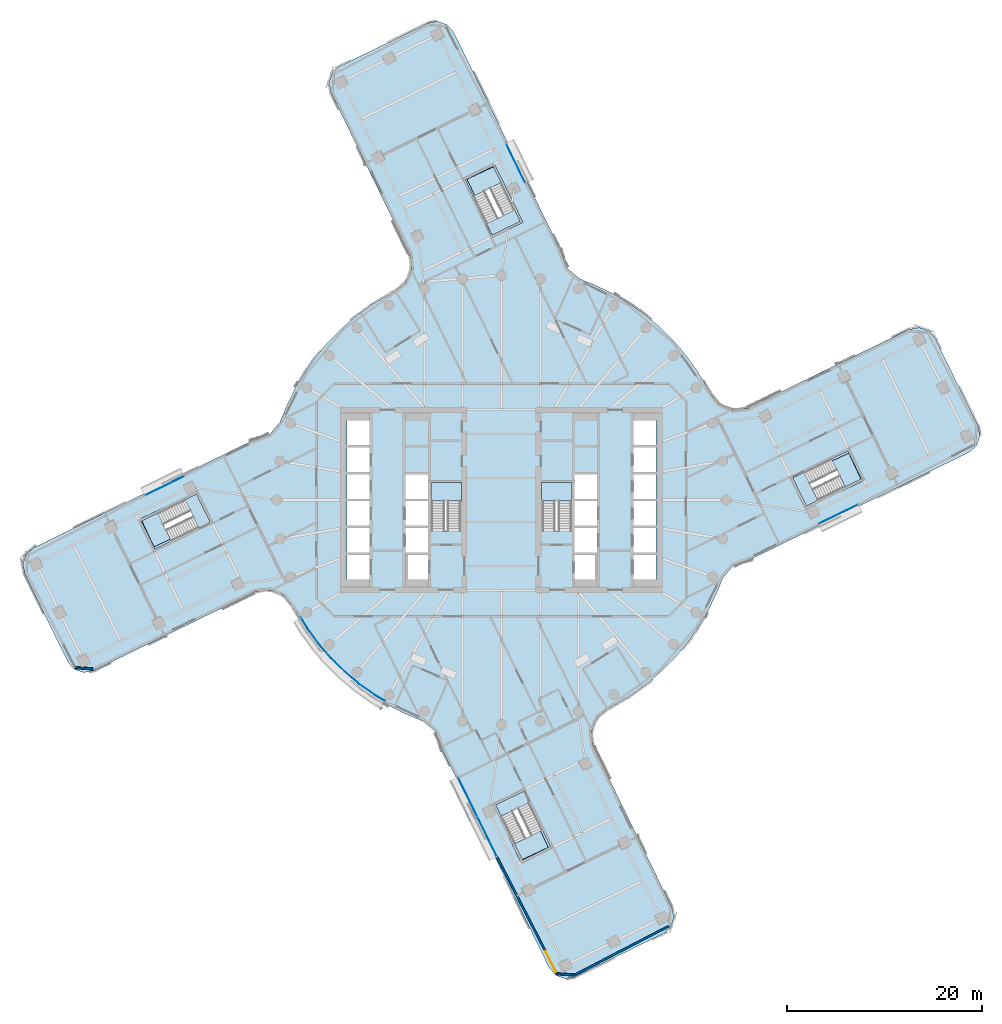
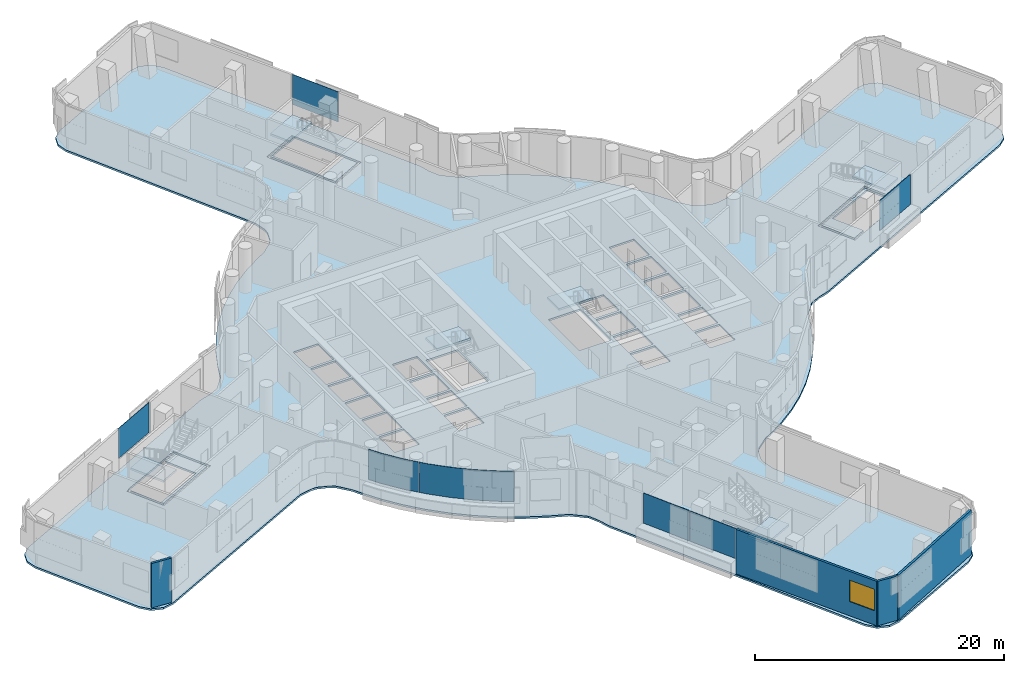
# One storey, part 9 of 23: 11 slabs, 7 plates, 4 walls, 1 window, 1 opening, 11 elements without a shape of their own.
"""IFC4 building model written with IfcOpenShell, lengths in metres."""

from ifc_helpers import new_model, si_unit, direction, frame, frame_2d, origin, place, context, subcontext, project, spatial, polyline, rectangle, outline, extrude, material, layer, layer_set, type_object, element, fill, aggregate, save


model = new_model("IFC4")

# Units and contexts
model_context = context("Model", 3, precision=1e-05, world=origin(), true_north=direction((0.0, 1.0)))
body_context = subcontext(model_context, "Body", "Model", "MODEL_VIEW")
ifc_project = project(units=[si_unit("LENGTHUNIT", "METRE"), si_unit("AREAUNIT", "SQUARE_METRE"), si_unit("VOLUMEUNIT", "CUBIC_METRE"), si_unit("PLANEANGLEUNIT", "RADIAN"), si_unit("MASSUNIT", "GRAM", prefix="KILO")], contexts=[model_context])

# Site, building, storey
site_placement = place(None, origin())
site = spatial("IfcSite", under=ifc_project, at=site_placement, CompositionType="ELEMENT")
building_placement = place(site_placement, origin())
building = spatial("IfcBuilding", under=site, at=building_placement, Name="Tamarind Cross Interchange Tower", CompositionType="ELEMENT")
storey_placement = place(building_placement, frame((0.0, 0.0, 128.5)))
storey = spatial("IfcBuildingStorey", under=building, at=storey_placement, Name="L31", CompositionType="ELEMENT", Elevation=128.5)

# Slabs
ifc_material_1 = material(Name="Concrete C40", Category="concrete")
ifc_layer_1 = layer(ifc_material_1, 0.179931640625)
ifc_layer_set_1 = layer_set([ifc_layer_1], Name="Concrete C40")
slab_type_1 = type_object("IfcSlabType", Name="Composite slab 180 Concrete C40", PredefinedType="FLOOR", material=ifc_layer_set_1)
slab_1_placement = place(storey_placement, frame((0.0, 0.0, -0.179931640625)))
element("IfcSlab", 1, at=slab_1_placement, inside=storey, type_object=slab_type_1, Name="Floor slab L31", PredefinedType="FLOOR", context=body_context, shape_type="SweptSolid", body=[
    extrude(outline(polyline([(-25.177978515625, 6.162109375), (-25.6728515625, 5.995361328125), (-47.870361328125, -4.888671875), (-48.650146484375, -5.569580078125), (-48.985107421875, -6.549072265625), (-48.785400390625, -7.56494140625), (-44.383056640625, -16.543701171875), (-43.7021484375, -17.323486328125), (-42.72265625, -17.65869140625), (-41.706787109375, -17.458984375), (-25.278076171875, -9.44140625), (-24.140380859375, -9.218017578125), (-23.6328125, -9.252685546875), (-22.6611328125, -9.585693359375), (-22.23876953125, -9.86962890625), (-21.333251953125, -10.960693359375), (-21.054443359375, -11.511474609375), (-20.031982421875, -13.2109375), (-18.87255859375, -14.820068359375), (-17.584228515625, -16.327880859375), (-16.17578125, -17.72412109375), (-14.656982421875, -18.99951171875), (-13.0380859375, -20.14501953125), (-11.329833984375, -21.15283203125), (-9.54443359375, -22.01611328125), (-7.9873046875, -22.6572265625), (-6.769775390625, -23.68212890625), (-6.29052734375, -24.6865234375), (-6.162109375, -25.177978515625), (-5.995361328125, -25.6728515625), (4.888671875, -47.870361328125), (5.569580078125, -48.650146484375), (6.549072265625, -48.985107421875), (7.56494140625, -48.785400390625), (16.543701171875, -44.383056640625), (17.323486328125, -43.7021484375), (17.65869140625, -42.72265625), (17.458984375, -41.706787109375), (9.44140625, -25.278076171875), (9.218017578125, -24.140380859375), (9.252685546875, -23.6328125), (9.585693359375, -22.6611328125), (9.86962890625, -22.23876953125), (10.960693359375, -21.333251953125), (11.511474609375, -21.054443359375), (13.2109375, -20.031982421875), (14.820068359375, -18.87255859375), (16.327880859375, -17.584228515625), (17.72412109375, -16.17578125), (18.99951171875, -14.656982421875), (20.14501953125, -13.0380859375), (21.15283203125, -11.329833984375), (22.01611328125, -9.54443359375), (22.6572265625, -7.9873046875), (23.68212890625, -6.769775390625), (24.6865234375, -6.29052734375), (25.177978515625, -6.162109375), (25.6728515625, -5.995361328125), (47.870361328125, 4.888671875), (48.650146484375, 5.569580078125), (48.985107421875, 6.549072265625), (48.785400390625, 7.56494140625), (44.383056640625, 16.543701171875), (43.7021484375, 17.323486328125), (42.72265625, 17.65869140625), (41.706787109375, 17.458984375), (25.278076171875, 9.44140625), (24.140380859375, 9.218017578125), (23.6328125, 9.252685546875), (22.6611328125, 9.585693359375), (22.23876953125, 9.86962890625), (21.333251953125, 10.960693359375), (21.054443359375, 11.511474609375), (20.031982421875, 13.2109375), (18.87255859375, 14.820068359375), (17.584228515625, 16.327880859375), (16.17578125, 17.72412109375), (14.656982421875, 18.99951171875), (13.0380859375, 20.14501953125), (11.329833984375, 21.15283203125), (9.54443359375, 22.01611328125), (7.9873046875, 22.6572265625), (6.769775390625, 23.68212890625), (6.29052734375, 24.6865234375), (6.162109375, 25.177978515625), (5.995361328125, 25.6728515625), (-4.888671875, 47.870361328125), (-5.569580078125, 48.650146484375), (-6.549072265625, 48.985107421875), (-7.56494140625, 48.785400390625), (-16.543701171875, 44.383056640625), (-17.323486328125, 43.7021484375), (-17.65869140625, 42.72265625), (-17.458984375, 41.706787109375), (-9.44140625, 25.278076171875), (-9.218017578125, 24.140380859375), (-9.252685546875, 23.6328125), (-9.585693359375, 22.6611328125), (-9.86962890625, 22.23876953125), (-10.960693359375, 21.333251953125), (-11.511474609375, 21.054443359375), (-13.2109375, 20.031982421875), (-14.820068359375, 18.87255859375), (-16.327880859375, 17.584228515625), (-17.72412109375, 16.17578125), (-18.99951171875, 14.656982421875), (-20.14501953125, 13.0380859375), (-21.15283203125, 11.329833984375), (-22.01611328125, 9.54443359375), (-22.6572265625, 7.9873046875), (-23.68212890625, 6.769775390625), (-24.6865234375, 6.29052734375), (-25.177978515625, 6.162109375)]), holes=[polyline([(-13.5, -8.125), (-15.800048828125, -8.125), (-15.800048828125, -5.625), (-13.5, -5.625), (-13.5, -8.125)]), polyline([(-7.5, -8.125), (-9.800048828125, -8.125), (-9.800048828125, -5.625), (-7.5, -5.625), (-7.5, -8.125)]), polyline([(-13.5, -5.375), (-15.800048828125, -5.375), (-15.800048828125, -2.875), (-13.5, -2.875), (-13.5, -5.375)]), polyline([(-29.53173828125, -2.3564453125), (-35.547607421875, -5.30615234375), (-35.635498046875, -5.126708984375), (-37.044189453125, -2.25341796875), (-37.13232421875, -2.073974609375), (-36.876220703125, -1.9482421875), (-36.90185546875, -1.89404296875), (-33.922119140625, -0.499755859375), (-31.11669921875, 0.875732421875), (-31.028564453125, 0.6962890625), (-29.619873046875, -2.177001953125), (-29.53173828125, -2.3564453125)]), polyline([(-13.5, -2.625), (-15.800048828125, -2.625), (-15.800048828125, -0.125), (-13.5, -0.125), (-13.5, -2.625)]), polyline([(-7.5, -2.625), (-9.800048828125, -2.625), (-9.800048828125, -0.125), (-7.5, -0.125), (-7.5, -2.625)]), polyline([(-13.5, 0.125), (-15.800048828125, 0.125), (-15.800048828125, 2.625), (-13.5, 2.625), (-13.5, 0.125)]), polyline([(-7.5, 0.125), (-9.800048828125, 0.125), (-9.800048828125, 2.625), (-7.5, 2.625), (-7.5, 0.125)]), polyline([(-13.5, 2.875), (-15.800048828125, 2.875), (-15.800048828125, 5.375), (-13.5, 5.375), (-13.5, 2.875)]), polyline([(-15.800048828125, 5.625), (-15.800048828125, 8.125), (-13.5, 8.125), (-13.5, 5.625), (-15.800048828125, 5.625)]), polyline([(-0.875732421875, -31.11669921875), (-0.6962890625, -31.028564453125), (2.177001953125, -29.619873046875), (2.3564453125, -29.53173828125), (5.30615234375, -35.547607421875), (5.126708984375, -35.635498046875), (2.25341796875, -37.044189453125), (2.073974609375, -37.13232421875), (1.9482421875, -36.876220703125), (1.89404296875, -36.90185546875), (0.499755859375, -33.922119140625), (-0.875732421875, -31.11669921875)]), polyline([(-9.800048828125, -5.375), (-9.800048828125, -2.875), (-7.5, -2.875), (-7.5, -5.375), (-9.800048828125, -5.375)]), polyline([(-4.199951171875, -3.18798828125), (-7.14990234375, -3.18798828125), (-7.14990234375, 1.800048828125), (-4.199951171875, 1.800048828125), (-4.199951171875, -3.18798828125)]), polyline([(7.14990234375, 1.800048828125), (7.14990234375, -3.18798828125), (4.199951171875, -3.18798828125), (4.199951171875, 1.800048828125), (7.14990234375, 1.800048828125)]), polyline([(7.5, 2.625), (9.800048828125, 2.625), (9.800048828125, 0.125), (7.5, 0.125), (7.5, 2.625)]), polyline([(2.196533203125, 28.423095703125), (2.01708984375, 28.3349609375), (-0.856201171875, 26.926025390625), (-1.035888671875, 26.838134765625), (-3.985595703125, 32.85400390625), (-3.805908203125, 32.94189453125), (-0.9326171875, 34.3505859375), (-0.753173828125, 34.438720703125), (-0.627197265625, 34.182373046875), (-0.62255859375, 34.1845703125), (-0.499755859375, 33.922119140625), (2.196533203125, 28.423095703125)]), polyline([(7.5, -5.625), (9.800048828125, -5.625), (9.800048828125, -8.125), (7.5, -8.125), (7.5, -5.625)]), polyline([(15.800048828125, -5.625), (15.800048828125, -8.125), (13.5, -8.125), (13.5, -5.625), (15.800048828125, -5.625)]), polyline([(9.800048828125, -2.875), (9.800048828125, -5.375), (7.5, -5.375), (7.5, -2.875), (9.800048828125, -2.875)]), polyline([(13.5, -2.875), (15.800048828125, -2.875), (15.800048828125, -5.375), (13.5, -5.375), (13.5, -2.875)]), polyline([(7.5, -0.125), (9.800048828125, -0.125), (9.800048828125, -2.625), (7.5, -2.625), (7.5, -0.125)]), polyline([(13.5, -0.125), (15.800048828125, -0.125), (15.800048828125, -2.625), (13.5, -2.625), (13.5, -0.125)]), polyline([(31.11669921875, -0.875732421875), (31.028564453125, -0.6962890625), (29.619873046875, 2.177001953125), (29.53173828125, 2.3564453125), (35.547607421875, 5.30615234375), (35.635498046875, 5.126708984375), (37.044189453125, 2.25341796875), (37.13232421875, 2.073974609375), (36.876220703125, 1.9482421875), (36.90185546875, 1.89404296875), (33.922119140625, 0.499755859375), (31.11669921875, -0.875732421875)]), polyline([(13.5, 2.625), (15.800048828125, 2.625), (15.800048828125, 0.125), (13.5, 0.125), (13.5, 2.625)]), polyline([(15.800048828125, 5.375), (15.800048828125, 2.875), (13.5, 2.875), (13.5, 5.375), (15.800048828125, 5.375)]), polyline([(15.800048828125, 8.125), (15.800048828125, 5.625), (13.5, 5.625), (13.5, 8.125), (15.800048828125, 8.125)])]), origin(), (0.0, 0.0, 1.0), 0.179931640625),
])
slab_2_placement = place(storey_placement, frame((0.0, 0.0, -0.179931640625)))
element("IfcSlab", 2, at=slab_2_placement, inside=storey, type_object=slab_type_1, Name="Floor slab L31", PredefinedType="FLOOR", context=body_context, shape_type="SweptSolid", body=[
    extrude(outline(polyline([(-36.86474609375, -2.165283203125), (-35.4560546875, -5.03857421875), (-29.79931640625, -2.264892578125), (-31.208251953125, 0.608154296875), (-32.38623046875, 0.030517578125), (-31.05224609375, -2.68994140625), (-35.545654296875, -4.79248046875), (-36.79150390625, -2.12939453125), (-36.86474609375, -2.165283203125)])), origin(), (0.0, 0.0, 1.0), 0.179931640625),
])
slab_3_placement = place(storey_placement, frame((0.0, 0.0, -0.179931640625)))
element("IfcSlab", 3, at=slab_3_placement, inside=storey, type_object=slab_type_1, Name="Floor slab L31", PredefinedType="FLOOR", context=body_context, shape_type="SweptSolid", body=[
    extrude(outline(polyline([(2.165283203125, -36.86474609375), (5.03857421875, -35.4560546875), (2.264892578125, -29.79931640625), (-0.608154296875, -31.208251953125), (-0.030517578125, -32.38623046875), (2.68994140625, -31.05224609375), (4.79248046875, -35.545654296875), (2.12939453125, -36.79150390625), (2.165283203125, -36.86474609375)])), origin(), (0.0, 0.0, 1.0), 0.179931640625),
])
slab_4_placement = place(storey_placement, frame((0.0, 0.0, -0.179931640625)))
element("IfcSlab", 4, at=slab_4_placement, inside=storey, type_object=slab_type_1, Name="Floor slab L31", PredefinedType="FLOOR", context=body_context, shape_type="SweptSolid", body=[
    extrude(outline(polyline([(-3.52099609375, 32.828369140625), (-0.80859375, 34.097412109375), (-0.844482421875, 34.171142578125), (-3.7177734375, 32.76220703125), (-0.944091796875, 27.105712890625), (1.928955078125, 28.514404296875), (1.351318359375, 29.6923828125), (-1.418212890625, 28.33447265625), (-3.52099609375, 32.828369140625)])), origin(), (0.0, 0.0, 1.0), 0.179931640625),
])
slab_5_placement = place(storey_placement, frame((0.0, 0.0, -0.179931640625)))
element("IfcSlab", 5, at=slab_5_placement, inside=storey, type_object=slab_type_1, Name="Floor slab L31", PredefinedType="FLOOR", context=body_context, shape_type="SweptSolid", body=[
    extrude(outline(polyline([(36.86474609375, 2.165283203125), (35.4560546875, 5.03857421875), (29.79931640625, 2.264892578125), (31.208251953125, -0.608154296875), (32.38623046875, -0.030517578125), (31.05224609375, 2.68994140625), (35.545654296875, 4.79248046875), (36.79150390625, 2.12939453125), (36.86474609375, 2.165283203125)])), origin(), (0.0, 0.0, 1.0), 0.179931640625),
])

# Stair, slab
ifc_material_2 = material(Name="Exit stair")
stair_type = type_object("IfcStairType", Name="Exit stair", PredefinedType="HALF_TURN_STAIR", material=ifc_material_2)
stair_1_placement = place(storey_placement, origin())
stair_1 = element("IfcStair", 6, at=stair_1_placement, inside=storey, type_object=stair_type, Name="L31 exit stair ST1", PredefinedType="HALF_TURN_STAIR")
ifc_layer_2 = layer(ifc_material_1, 0.199951171875)
ifc_layer_set_2 = layer_set([ifc_layer_2], Name="Concrete C40")
slab_type_2 = type_object("IfcSlabType", Name="Stair landing", PredefinedType="LANDING", material=ifc_layer_set_2)
slab_6_placement = place(storey_placement, frame((0.0, 0.0, 2.050048828125)))
slab_6 = element("IfcSlab", 7, at=slab_6_placement, type_object=slab_type_2, Name="ST1 landing 1", PredefinedType="LANDING", context=body_context, shape_type="SweptSolid", body=[
    extrude(outline(polyline([(-4.10009765625, -0.080078125), (-4.10009765625, 1.800048828125), (-7.199951171875, 1.800048828125), (-7.199951171875, -0.080078125), (-4.10009765625, -0.080078125)])), origin(), (0.0, 0.0, 1.0), 0.199951171875),
])
aggregate(stair_1, [slab_6])

stair_2_placement = place(storey_placement, origin())
stair_2 = element("IfcStair", 8, at=stair_2_placement, inside=storey, type_object=stair_type, Name="L31 exit stair ST2", PredefinedType="HALF_TURN_STAIR")
slab_7_placement = place(storey_placement, frame((0.0, 0.0, 2.050048828125)))
slab_7 = element("IfcSlab", 9, at=slab_7_placement, type_object=slab_type_2, Name="ST2 landing 1", PredefinedType="LANDING", context=body_context, shape_type="SweptSolid", body=[
    extrude(outline(polyline([(7.199951171875, -0.080078125), (7.199951171875, 1.800048828125), (4.10009765625, 1.800048828125), (4.10009765625, -0.080078125), (7.199951171875, -0.080078125)])), origin(), (0.0, 0.0, 1.0), 0.199951171875),
])
aggregate(stair_2, [slab_7])

stair_3_placement = place(storey_placement, origin())
stair_3 = element("IfcStair", 10, at=stair_3_placement, inside=storey, type_object=stair_type, Name="L31 exit stair ST3", PredefinedType="HALF_TURN_STAIR")
slab_8_placement = place(storey_placement, frame((0.0, 0.0, 2.050048828125)))
slab_8 = element("IfcSlab", 11, at=slab_8_placement, type_object=slab_type_2, Name="ST3 landing 1", PredefinedType="LANDING", context=body_context, shape_type="SweptSolid", body=[
    extrude(outline(polyline([(35.166015625, 1.33251953125), (36.86474609375, 2.165283203125), (35.4560546875, 5.03857421875), (33.757080078125, 4.20556640625), (35.166015625, 1.33251953125)])), origin(), (0.0, 0.0, 1.0), 0.199951171875),
])
aggregate(stair_3, [slab_8])

stair_4_placement = place(storey_placement, origin())
stair_4 = element("IfcStair", 12, at=stair_4_placement, inside=storey, type_object=stair_type, Name="L31 exit stair ST4", PredefinedType="HALF_TURN_STAIR")
slab_9_placement = place(storey_placement, frame((0.0, 0.0, 2.050048828125)))
slab_9 = element("IfcSlab", 13, at=slab_9_placement, type_object=slab_type_2, Name="ST4 landing 1", PredefinedType="LANDING", context=body_context, shape_type="SweptSolid", body=[
    extrude(outline(polyline([(-0.01171875, 32.472412109375), (-0.8447265625, 34.171142578125), (-3.7177734375, 32.76220703125), (-2.884765625, 31.0634765625), (-0.01171875, 32.472412109375)])), origin(), (0.0, 0.0, 1.0), 0.199951171875),
])
aggregate(stair_4, [slab_9])

stair_5_placement = place(storey_placement, origin())
stair_5 = element("IfcStair", 14, at=stair_5_placement, inside=storey, type_object=stair_type, Name="L31 exit stair ST5", PredefinedType="HALF_TURN_STAIR")
slab_10_placement = place(storey_placement, frame((0.0, 0.0, 2.050048828125)))
slab_10 = element("IfcSlab", 15, at=slab_10_placement, type_object=slab_type_2, Name="ST5 landing 1", PredefinedType="LANDING", context=body_context, shape_type="SweptSolid", body=[
    extrude(outline(polyline([(-35.166015625, -1.33251953125), (-36.86474609375, -2.165283203125), (-35.4560546875, -5.03857421875), (-33.757080078125, -4.20556640625), (-35.166015625, -1.33251953125)])), origin(), (0.0, 0.0, 1.0), 0.199951171875),
])
aggregate(stair_5, [slab_10])

stair_6_placement = place(storey_placement, origin())
stair_6 = element("IfcStair", 16, at=stair_6_placement, inside=storey, type_object=stair_type, Name="L31 exit stair ST6", PredefinedType="HALF_TURN_STAIR")
slab_11_placement = place(storey_placement, frame((0.0, 0.0, 2.050048828125)))
slab_11 = element("IfcSlab", 17, at=slab_11_placement, type_object=slab_type_2, Name="ST6 landing 1", PredefinedType="LANDING", context=body_context, shape_type="SweptSolid", body=[
    extrude(outline(polyline([(1.33251953125, -35.166015625), (2.165283203125, -36.86474609375), (5.03857421875, -35.4560546875), (4.20556640625, -33.757080078125), (1.33251953125, -35.166015625)])), origin(), (0.0, 0.0, 1.0), 0.199951171875),
])
aggregate(stair_6, [slab_11])

# Curtain wall, plates
ifc_material_3 = material(Name="Aluminium 6063-T6", Category="aluminium")
ifc_layer_3 = layer(ifc_material_3, 0.179931640625)
ifc_layer_set_3 = layer_set([ifc_layer_3], Name="Aluminium 6063-T6")
curtain_wall_type_1 = type_object("IfcCurtainWallType", Name="Sky lobby curtain wall, fire-resisting glazing", PredefinedType="NOTDEFINED", material=ifc_layer_set_3)
curtain_wall_1_placement = place(storey_placement, origin())
curtain_wall_1 = element("IfcCurtainWall", 18, at=curtain_wall_1_placement, inside=storey, type_object=curtain_wall_type_1, Name="CWS-L31-03", PredefinedType="NOTDEFINED")
ifc_material_4 = material(Name="Fire-resisting glass EI 60", Category="glass")
ifc_layer_4 = layer(ifc_material_4, 0.035888671875)
ifc_layer_set_4 = layer_set([ifc_layer_4], Name="Fire-resisting glass EI 60")
plate_type_1 = type_object("IfcPlateType", Name="Vision panel CW4", PredefinedType="CURTAIN_PANEL", material=ifc_layer_set_4)
plate_1_placement = place(storey_placement, frame((0.0, 0.0, 1.39990234375)))
plate_1 = element("IfcPlate", 19, at=plate_1_placement, type_object=plate_type_1, Name="CWP-L31-03-01", PredefinedType="CURTAIN_PANEL", context=body_context, shape_type="SweptSolid", body=[
    extrude(outline(polyline([(-4.395263671875, -28.44091796875), (-2.452392578125, -32.403076171875), (-2.48486328125, -32.4189453125), (-4.427490234375, -28.456787109375), (-4.395263671875, -28.44091796875)])), origin(), (0.0, 0.0, 1.0), 2.960205078125),
])
plate_2_placement = place(storey_placement, frame((0.0, 0.0, 1.39990234375)))
plate_2 = element("IfcPlate", 20, at=plate_2_placement, type_object=plate_type_1, Name="CWP-L31-03-02", PredefinedType="CURTAIN_PANEL", context=body_context, shape_type="SweptSolid", body=[
    extrude(outline(polyline([(-2.417236328125, -32.474853515625), (-0.474365234375, -36.43701171875), (-0.5068359375, -36.452880859375), (-2.44970703125, -32.49072265625), (-2.417236328125, -32.474853515625)])), origin(), (0.0, 0.0, 1.0), 2.960205078125),
])
aggregate(curtain_wall_1, [plate_1, plate_2])

# Curtain wall, plate
curtain_wall_2_placement = place(storey_placement, origin())
curtain_wall_2 = element("IfcCurtainWall", 21, at=curtain_wall_2_placement, inside=storey, type_object=curtain_wall_type_1, Name="CWS-L31-07", PredefinedType="NOTDEFINED")
plate_3_placement = place(storey_placement, frame((0.0, 0.0, 1.39990234375)))
plate_3 = element("IfcPlate", 22, at=plate_3_placement, type_object=plate_type_1, Name="CWP-L31-07-02", PredefinedType="CURTAIN_PANEL", context=body_context, shape_type="SweptSolid", body=[
    extrude(outline(polyline([(32.474853515625, -2.417236328125), (36.43701171875, -0.474365234375), (36.452880859375, -0.5068359375), (32.49072265625, -2.44970703125), (32.474853515625, -2.417236328125)])), origin(), (0.0, 0.0, 1.0), 2.960205078125),
])
aggregate(curtain_wall_2, [plate_3])

curtain_wall_3_placement = place(storey_placement, origin())
curtain_wall_3 = element("IfcCurtainWall", 23, at=curtain_wall_3_placement, inside=storey, type_object=curtain_wall_type_1, Name="CWS-L31-11", PredefinedType="NOTDEFINED")
plate_4_placement = place(storey_placement, frame((0.0, 0.0, 1.39990234375)))
plate_4 = element("IfcPlate", 24, at=plate_4_placement, type_object=plate_type_1, Name="CWP-L31-11-02", PredefinedType="CURTAIN_PANEL", context=body_context, shape_type="SweptSolid", body=[
    extrude(outline(polyline([(2.417236328125, 32.474853515625), (0.474365234375, 36.43701171875), (0.5068359375, 36.452880859375), (2.44970703125, 32.49072265625), (2.417236328125, 32.474853515625)])), origin(), (0.0, 0.0, 1.0), 2.960205078125),
])
aggregate(curtain_wall_3, [plate_4])

curtain_wall_4_placement = place(storey_placement, origin())
curtain_wall_4 = element("IfcCurtainWall", 25, at=curtain_wall_4_placement, inside=storey, type_object=curtain_wall_type_1, Name="CWS-L31-15", PredefinedType="NOTDEFINED")
plate_5_placement = place(storey_placement, frame((0.0, 0.0, 1.39990234375)))
plate_5 = element("IfcPlate", 26, at=plate_5_placement, type_object=plate_type_1, Name="CWP-L31-15-02", PredefinedType="CURTAIN_PANEL", context=body_context, shape_type="SweptSolid", body=[
    extrude(outline(polyline([(-32.474853515625, 2.417236328125), (-36.43701171875, 0.474365234375), (-36.452880859375, 0.5068359375), (-32.49072265625, 2.44970703125), (-32.474853515625, 2.417236328125)])), origin(), (0.0, 0.0, 1.0), 2.960205078125),
])
aggregate(curtain_wall_4, [plate_5])

# Curtain wall, plates
ifc_layer_5 = layer(ifc_material_3, 0.14990234375)
ifc_layer_set_5 = layer_set([ifc_layer_5], Name="Aluminium 6063-T6")
curtain_wall_type_2 = type_object("IfcCurtainWallType", Name="Winter garden and crown curtain wall", PredefinedType="NOTDEFINED", material=ifc_layer_set_5)
curtain_wall_5_placement = place(storey_placement, origin())
curtain_wall_5 = element("IfcCurtainWall", 27, at=curtain_wall_5_placement, inside=storey, type_object=curtain_wall_type_2, Name="CWS-L31-02", PredefinedType="NOTDEFINED")
ifc_material_5 = material(Name="Laminated low-e glass 8+1.52+8", Category="glass")
ifc_layer_6 = layer(ifc_material_5, 0.030029296875)
ifc_layer_set_6 = layer_set([ifc_layer_6], Name="Laminated low-e glass 8+1.52+8")
plate_type_2 = type_object("IfcPlateType", Name="Vision panel CW6", PredefinedType="CURTAIN_PANEL", material=ifc_layer_set_6)
plate_6_placement = place(storey_placement, frame((0.0, 0.0, 1.39990234375)))
plate_6 = element("IfcPlate", 28, at=plate_6_placement, type_object=plate_type_2, Name="CWP-L31-02-01", PredefinedType="CURTAIN_PANEL", context=body_context, shape_type="SweptSolid", body=[
    extrude(outline(polyline([(-20.468505859375, -12.068359375), (-19.852294921875, -13.09228515625), (-18.703369140625, -14.68701171875), (-17.894775390625, -15.633544921875), (-17.91748046875, -15.653076171875), (-18.72705078125, -14.70556640625), (-19.87744140625, -13.10888671875), (-20.494140625, -12.083740234375), (-20.468505859375, -12.068359375)])), origin(), (0.0, 0.0, 1.0), 2.960205078125),
])
plate_7_placement = place(storey_placement, frame((0.0, 0.0, 1.39990234375)))
plate_7 = element("IfcPlate", 29, at=plate_7_placement, type_object=plate_type_2, Name="CWP-L31-02-02", PredefinedType="CURTAIN_PANEL", context=body_context, shape_type="SweptSolid", body=[
    extrude(outline(polyline([(-17.855712890625, -15.67919921875), (-17.426513671875, -16.181396484375), (-16.03076171875, -17.565185546875), (-14.525634765625, -18.8291015625), (-12.921142578125, -19.96435546875), (-11.908447265625, -20.561767578125), (-11.923583984375, -20.587646484375), (-12.937255859375, -19.989501953125), (-14.5439453125, -18.852783203125), (-16.051025390625, -17.58740234375), (-17.448486328125, -16.201904296875), (-17.878662109375, -15.698486328125), (-17.855712890625, -15.67919921875)])), origin(), (0.0, 0.0, 1.0), 2.960205078125),
])
aggregate(curtain_wall_5, [plate_6, plate_7])

# Wall
ifc_material_6 = material(Name="Precast concrete C40", Category="concrete")
ifc_layer_7 = layer(ifc_material_6, 0.199951171875)
ifc_layer_set_7 = layer_set([ifc_layer_7], Name="Precast concrete C40")
wall_type = type_object("IfcWallType", Name="Refuge level external wall", PredefinedType="SOLIDWALL", material=ifc_layer_set_7)
wall_1_placement = place(storey_placement, frame((-43.586669921875, -17.15185546875, 0.0), z_axis=(0.0, 0.0, 1.0), x_axis=(0.997590572595, -0.069376144823, 0.0)))
element("IfcWall", 30, at=wall_1_placement, inside=storey, type_object=wall_type, Name="RFW-L31-00-01", PredefinedType="SOLIDWALL", context=body_context, shape_type="SweptSolid", body=[
    extrude(rectangle(XDim=1.78076171875, YDim=0.199951171875, at=frame_2d((0.890380859375, 0.0))), origin(), (0.0, 0.0, 1.0), 4.360107421875),
])

# Wall, opening, window
wall_2_placement = place(storey_placement, frame((-0.455322265625, -36.516845703125, 0.0), z_axis=(0.0, 0.0, 1.0), x_axis=(0.456688565202, -0.889626637649, 0.0)))
wall_2 = element("IfcWall", 31, at=wall_2_placement, inside=storey, type_object=wall_type, Name="RFW-L31-03-10", PredefinedType="SOLIDWALL", context=body_context, shape_type="SweptSolid", body=[
    extrude(rectangle(XDim=13.445556640625, YDim=0.199951171875, at=frame_2d((6.72265625, 0.0))), origin(), (0.0, 0.0, 1.0), 4.360107421875),
])
opening_placement = place(wall_2_placement, frame((10.845458984375, 0.0, 1.39990234375)))
opening = element("IfcOpeningElement", 32, at=opening_placement, cuts=wall_2, Name="Opening W3", PredefinedType="OPENING", context=body_context, shape_type="SweptSolid", body=[
    extrude(rectangle(XDim=2.39990234375, YDim=2.10009765625, at=frame_2d((1.199951171875, 1.050048828125))), frame((0.0, 0.10986328125, 0.0), z_axis=(0.0, -1.0, 0.0), x_axis=(1.0, 0.0, 0.0)), (0.0, 0.0, 1.0), 0.219970703125),
])
ifc_material_7 = material(Name="Aluminium and fire-resisting glass", Category="aluminium")
window_type = type_object("IfcWindowType", Name="Refuge rescue window", PartitioningType="DOUBLE_PANEL_VERTICAL", PredefinedType="WINDOW", material=ifc_material_7)
window_placement = place(opening_placement, origin())
window = element("IfcWindow", 33, at=window_placement, inside=storey, type_object=window_type, Name="RSW-L31-03-05", OverallHeight=2.10009765625, OverallWidth=2.39990234375, PartitioningType="SINGLE_PANEL", PredefinedType="WINDOW", context=body_context, shape_type="SweptSolid", body=[
    extrude(rectangle(XDim=2.39990234375, YDim=2.10009765625, at=frame_2d((1.199951171875, 1.050048828125))), frame((0.0, 0.030029296875, 0.0), z_axis=(0.0, -1.0, 0.0), x_axis=(1.0, 0.0, 0.0)), (0.0, 0.0, 1.0), 0.06005859375),
])
fill(opening, window)

# Walls
wall_3_placement = place(storey_placement, frame((5.68505859375, -48.478271484375, 0.0), z_axis=(0.0, 0.0, 1.0), x_axis=(0.997581074317, -0.069512589978, 0.0)))
element("IfcWall", 34, at=wall_3_placement, inside=storey, type_object=wall_type, Name="RFW-L31-03-11", PredefinedType="SOLIDWALL", context=body_context, shape_type="SweptSolid", body=[
    extrude(rectangle(XDim=1.78076171875, YDim=0.199951171875, at=frame_2d((0.890380859375, 0.0))), origin(), (0.0, 0.0, 1.0), 4.360107421875),
])
wall_4_placement = place(storey_placement, frame((7.536376953125, -48.57666015625, 0.0), z_axis=(0.0, 0.0, 1.0), x_axis=(0.887596553779, 0.460621707825, 0.0)))
element("IfcWall", 35, at=wall_4_placement, inside=storey, type_object=wall_type, Name="RFW-L31-04-00", PredefinedType="SOLIDWALL", context=body_context, shape_type="SweptSolid", body=[
    extrude(rectangle(XDim=10.833251953125, YDim=0.199951171875, at=frame_2d((5.41650390625, 0.0))), origin(), (0.0, 0.0, 1.0), 4.360107421875),
])

save(model, "model.ifc")
